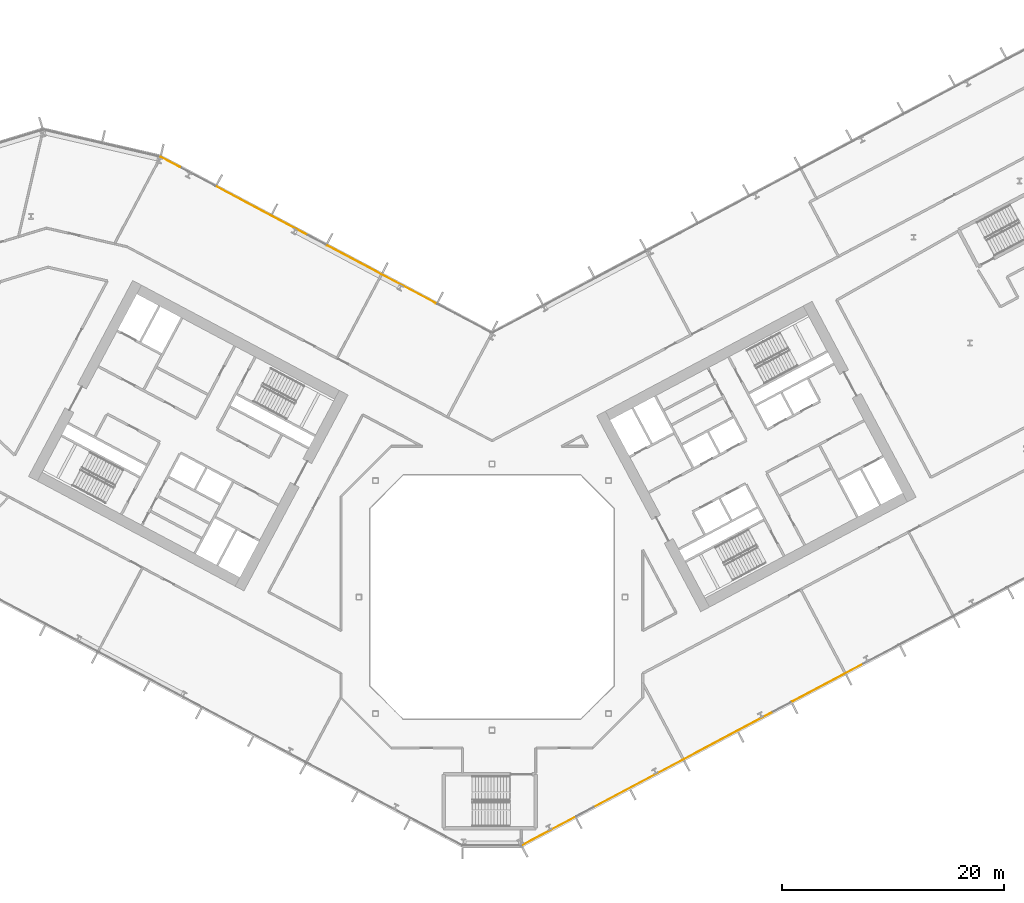
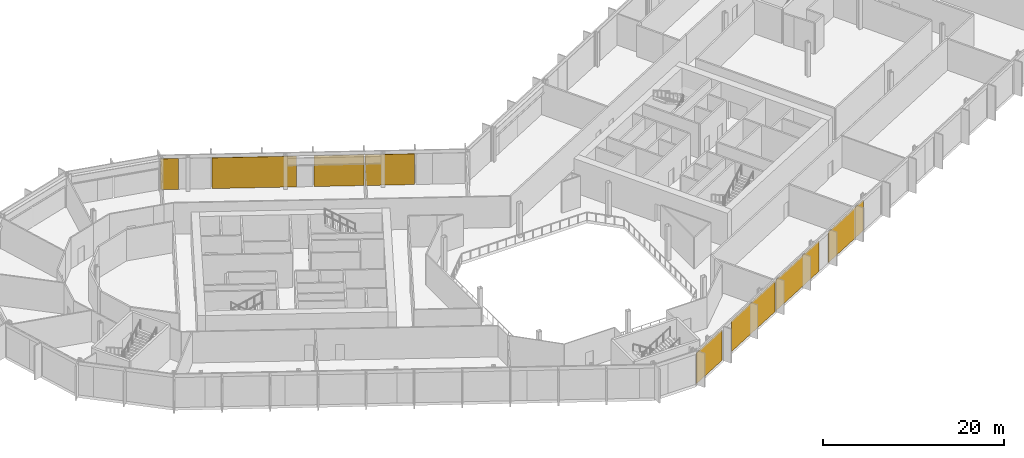
# One storey, part 25 of 30: 8 coverings, 2 elements without a shape of their own.
"""IFC4 building model written with IfcOpenShell, lengths in metres."""

from ifc_helpers import new_model, si_unit, direction, frame, origin, origin_2d, place, context, subcontext, project, spatial, rectangle, extrude, material, layer, layer_set, type_object, element, aggregate, save


model = new_model("IFC4")

# Units and contexts
model_context = context("Model", 3, precision=1e-05, world=origin(), true_north=direction((0.0, 1.0)))
body_context = subcontext(model_context, "Body", "Model", "MODEL_VIEW")
ifc_project = project(units=[si_unit("LENGTHUNIT", "METRE"), si_unit("AREAUNIT", "SQUARE_METRE"), si_unit("VOLUMEUNIT", "CUBIC_METRE"), si_unit("PLANEANGLEUNIT", "RADIAN"), si_unit("MASSUNIT", "GRAM", prefix="KILO")], contexts=[model_context])

# Site, building, storey
site_placement = place(None, origin())
site = spatial("IfcSite", under=ifc_project, at=site_placement, CompositionType="ELEMENT")
building_placement = place(site_placement, origin())
building = spatial("IfcBuilding", under=site, at=building_placement, Name="Cormorant Relay Tower", CompositionType="ELEMENT")
storey_placement = place(building_placement, frame((0.0, 0.0, 89.199951171875)))
storey = spatial("IfcBuildingStorey", under=building, at=storey_placement, Name="L17", CompositionType="ELEMENT", Elevation=89.199951171875)

# Curtain wall, coverings
ifc_material_1 = material(Name="Aluminium 6063-T6 anodised bronze", Category="aluminium")
ifc_layer_1 = layer(ifc_material_1, 0.199951171875)
ifc_layer_set_1 = layer_set([ifc_layer_1], Name="CW1 unitised bronze curtain wall with vertical fins")
curtain_wall_type = type_object("IfcCurtainWallType", Name="CW1 unitised bronze curtain wall with vertical fins", PredefinedType="NOTDEFINED", material=ifc_layer_set_1)
curtain_wall_1_placement = place(storey_placement, origin())
curtain_wall_1 = element("IfcCurtainWall", 1, at=curtain_wall_1_placement, inside=storey, type_object=curtain_wall_type, Name="CW1 curtain wall 2", PredefinedType="NOTDEFINED")
ifc_material_2 = material(Name="Pale bronze anodised aluminium insulated panel", Category="aluminium")
ifc_layer_2 = layer(ifc_material_2, 0.0400390625)
ifc_layer_set_2 = layer_set([ifc_layer_2], Name="CW1 pale bronze insulated panel 40")
covering_type = type_object("IfcCoveringType", Name="CW1 pale bronze insulated panel 40", PredefinedType="CLADDING", material=ifc_layer_set_2)
covering_1_placement = place(storey_placement, frame((5.091552734375, -21.099365234375, 0.0), z_axis=(0.0, 0.0, 1.0), x_axis=(0.882947592859, 0.469471562786, 0.0)))
covering_1 = element("IfcCovering", 2, at=covering_1_placement, type_object=covering_type, Name="CW1 panel S00", PredefinedType="CLADDING", context=body_context, shape_type="SweptSolid", body=[
    extrude(rectangle(XDim=5.36181640625, YDim=0.0400390625, at=origin_2d()), origin(), (0.0, 0.0, 1.0), 4.14990234375),
])
covering_2_placement = place(storey_placement, frame((13.186279296875, -16.79541015625, 0.0), z_axis=(0.0, 0.0, 1.0), x_axis=(0.882947592859, 0.469471562786, 0.0)))
covering_2 = element("IfcCovering", 3, at=covering_2_placement, type_object=covering_type, Name="CW1 panel S02", PredefinedType="CLADDING", context=body_context, shape_type="SweptSolid", body=[
    extrude(rectangle(XDim=9.07373046875, YDim=0.0400390625, at=origin_2d()), origin(), (0.0, 0.0, 1.0), 4.14990234375),
])
covering_3_placement = place(storey_placement, frame((21.330322265625, -12.465087890625, 0.0), z_axis=(0.0, 0.0, 1.0), x_axis=(0.882947592859, 0.469471562786, 0.0)))
covering_3 = element("IfcCovering", 4, at=covering_3_placement, type_object=covering_type, Name="CW1 panel S03", PredefinedType="CLADDING", context=body_context, shape_type="SweptSolid", body=[
    extrude(rectangle(XDim=9.07373046875, YDim=0.0400390625, at=origin_2d()), origin(), (0.0, 0.0, 1.0), 4.14990234375),
])
covering_4_placement = place(storey_placement, frame((30.26904296875, -7.71240234375, 0.0), z_axis=(0.0, 0.0, 1.0), x_axis=(0.882947592859, 0.469471562786, 0.0)))
covering_4 = element("IfcCovering", 5, at=covering_4_placement, type_object=covering_type, Name="CW1 panel S05", PredefinedType="CLADDING", context=body_context, shape_type="SweptSolid", body=[
    extrude(rectangle(XDim=7.273681640625, YDim=0.0400390625, at=origin_2d()), origin(), (0.0, 0.0, 1.0), 4.14990234375),
])
aggregate(curtain_wall_1, [covering_1, covering_2, covering_3, covering_4])

curtain_wall_2_placement = place(storey_placement, origin())
curtain_wall_2 = element("IfcCurtainWall", 6, at=curtain_wall_2_placement, inside=storey, type_object=curtain_wall_type, Name="CW1 curtain wall 7", PredefinedType="NOTDEFINED")
covering_5_placement = place(storey_placement, frame((-7.458984375, 27.772705078125, 0.0), z_axis=(0.0, 0.0, 1.0), x_axis=(-0.882947592859, 0.469471562786, 0.0)))
covering_5 = element("IfcCovering", 7, at=covering_5_placement, type_object=covering_type, Name="CW1 panel S02", PredefinedType="CLADDING", context=body_context, shape_type="SweptSolid", body=[
    extrude(rectangle(XDim=5.489013671875, YDim=0.0400390625, at=origin_2d()), origin(), (0.0, 0.0, 1.0), 4.14990234375),
])
covering_6_placement = place(storey_placement, frame((-12.43798828125, 30.419921875, 0.0), z_axis=(0.0, 0.0, 1.0), x_axis=(-0.882947592859, 0.469471562786, 0.0)))
covering_6 = element("IfcCovering", 8, at=covering_6_placement, type_object=covering_type, Name="CW1 panel S03", PredefinedType="CLADDING", context=body_context, shape_type="SweptSolid", body=[
    extrude(rectangle(XDim=5.489013671875, YDim=0.0400390625, at=origin_2d()), origin(), (0.0, 0.0, 1.0), 4.14990234375),
])
covering_7_placement = place(storey_placement, frame((-20.701171875, 34.813720703125, 0.0), z_axis=(0.0, 0.0, 1.0), x_axis=(-0.882947592859, 0.469471562786, 0.0)))
covering_7 = element("IfcCovering", 9, at=covering_7_placement, type_object=covering_type, Name="CW1 panel S05", PredefinedType="CLADDING", context=body_context, shape_type="SweptSolid", body=[
    extrude(rectangle(XDim=9.327880859375, YDim=0.0400390625, at=origin_2d()), origin(), (0.0, 0.0, 1.0), 4.14990234375),
])
covering_8_placement = place(storey_placement, frame((-28.997314453125, 39.224853515625, 0.0), z_axis=(0.0, 0.0, 1.0), x_axis=(-0.882947592859, 0.469471562786, 0.0)))
covering_8 = element("IfcCovering", 10, at=covering_8_placement, type_object=covering_type, Name="CW1 panel S07", PredefinedType="CLADDING", context=body_context, shape_type="SweptSolid", body=[
    extrude(rectangle(XDim=1.964111328125, YDim=0.0400390625, at=origin_2d()), origin(), (0.0, 0.0, 1.0), 4.14990234375),
])
aggregate(curtain_wall_2, [covering_5, covering_6, covering_7, covering_8])

save(model, "model.ifc")
